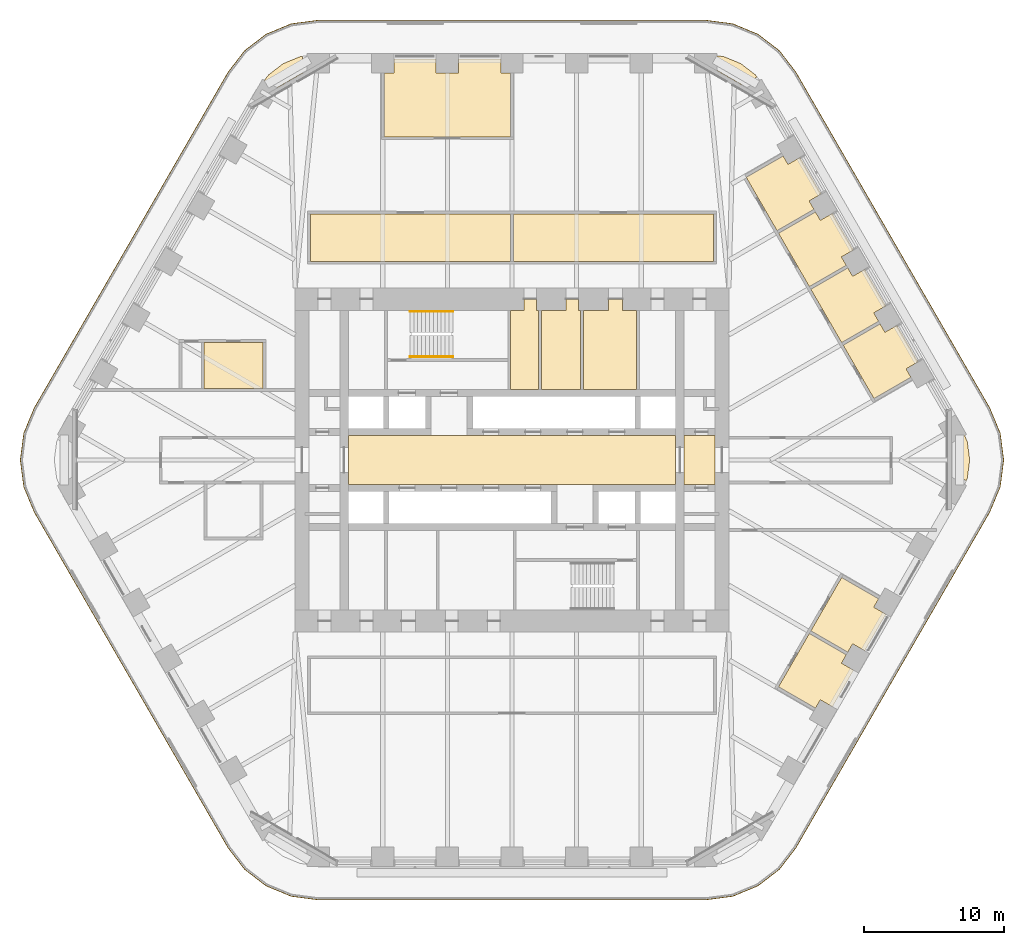
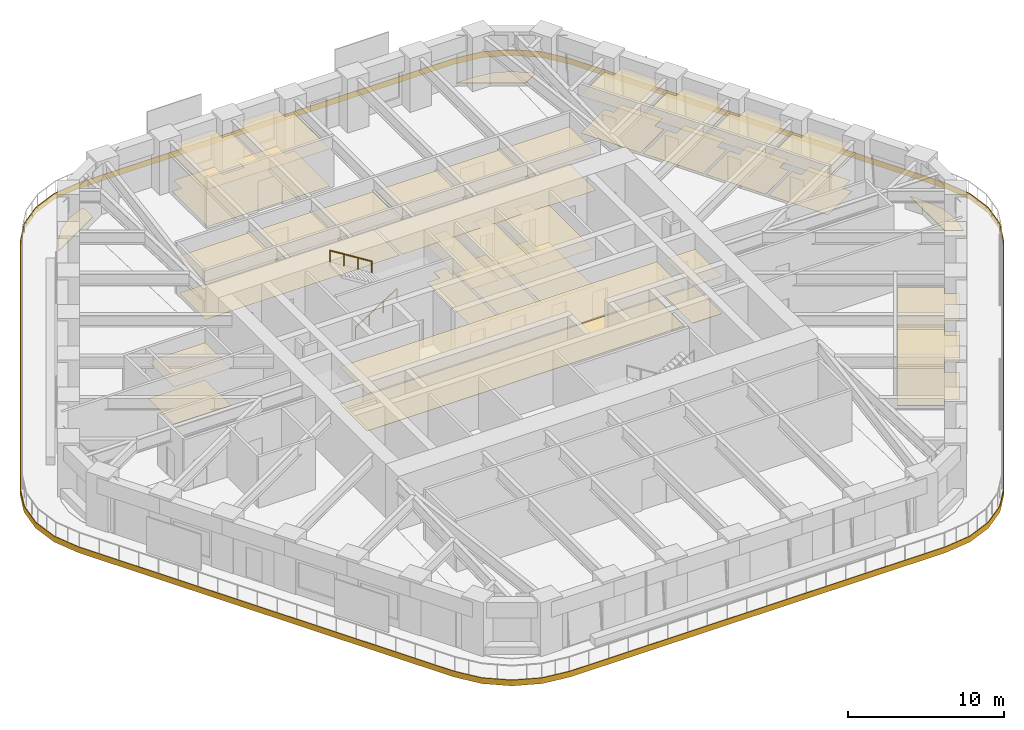
# One storey, part 19 of 20: 16 coverings, 2 railings.
"""IFC4 building model written with IfcOpenShell, lengths in metres."""

from ifc_helpers import new_model, si_unit, direction, frame, origin, origin_2d, place, context, subcontext, project, spatial, polyline, circle, outline, extrude, material, layer, layer_set, type_object, element, save


model = new_model("IFC4")

# Units and contexts
model_context = context("Model", 3, precision=1e-05, world=origin(), true_north=direction((0.0, 1.0)))
body_context = subcontext(model_context, "Body", "Model", "MODEL_VIEW")
ifc_project = project(units=[si_unit("LENGTHUNIT", "METRE"), si_unit("AREAUNIT", "SQUARE_METRE"), si_unit("VOLUMEUNIT", "CUBIC_METRE"), si_unit("PLANEANGLEUNIT", "RADIAN"), si_unit("MASSUNIT", "GRAM", prefix="KILO")], contexts=[model_context])

# Site, building, storey
site_placement = place(None, origin())
site = spatial("IfcSite", under=ifc_project, at=site_placement, CompositionType="ELEMENT")
building_placement = place(site_placement, origin())
building = spatial("IfcBuilding", under=site, at=building_placement, Name="Tarfa Lantern Tower", CompositionType="ELEMENT")
storey_placement = place(building_placement, frame((0.0, 0.0, 232.300048828125)))
storey = spatial("IfcBuildingStorey", under=building, at=storey_placement, Name="L52", CompositionType="ELEMENT", Elevation=232.300048828125)

# Coverings
ifc_material_1 = material(Name="Mineral fibre acoustic tile on suspension grid", Category="finish")
ifc_layer_1 = layer(ifc_material_1, 0.02001953125)
ifc_layer_set_1 = layer_set([ifc_layer_1], Name="CL1 ACOUSTIC TILE CEILING 20")
covering_type_1 = type_object("IfcCoveringType", Name="CL1 ACOUSTIC TILE CEILING 20", PredefinedType="CEILING", material=ifc_layer_set_1)
covering_1_placement = place(storey_placement, frame((0.0, 0.0, 2.89990234375)))
element("IfcCovering", 1, at=covering_1_placement, inside=storey, type_object=covering_type_1, Name="Ceiling L52 CL1", PredefinedType="CEILING", context=body_context, shape_type="SweptSolid", body=[
    extrude(outline(polyline([(-14.39990234375, 17.60009765625), (-0.10009765625, 17.60009765625), (-0.10009765625, 14.199951171875), (-14.39990234375, 14.199951171875), (-14.39990234375, 17.60009765625)])), origin(), (0.0, 0.0, 1.0), 0.02001953125),
    extrude(outline(polyline([(0.10009765625, 17.60009765625), (14.39990234375, 17.60009765625), (14.39990234375, 14.199951171875), (0.10009765625, 14.199951171875), (0.10009765625, 17.60009765625)])), origin(), (0.0, 0.0, 1.0), 0.02001953125),
    extrude(outline(polyline([(-0.10009765625, 23.10009765625), (-9.1376953125, 23.10009765625), (-9.1376953125, 27.64990234375), (-8.4375, 27.64990234375), (-8.4375, 28.64990234375), (-5.418701171875, 28.64990234375), (-5.418701171875, 27.64990234375), (-3.81884765625, 27.64990234375), (-3.81884765625, 28.64990234375), (-0.800048828125, 28.64990234375), (-0.800048828125, 27.64990234375), (-0.10009765625, 27.64990234375), (-0.10009765625, 23.10009765625)])), origin(), (0.0, 0.0, 1.0), 0.02001953125),
    extrude(outline(polyline([(23.66357421875, 8.21337890625), (26.304931640625, 9.73828125), (26.655029296875, 9.132080078125), (27.52099609375, 9.632080078125), (29.030517578125, 7.017822265625), (28.164306640625, 6.517822265625), (28.514404296875, 5.91162109375), (25.873046875, 4.38671875), (23.66357421875, 8.21337890625)])), origin(), (0.0, 0.0, 1.0), 0.02001953125),
    extrude(outline(polyline([(21.354248046875, 12.21337890625), (23.99560546875, 13.73828125), (24.345703125, 13.132080078125), (25.211669921875, 13.632080078125), (26.720947265625, 11.017822265625), (25.85498046875, 10.517822265625), (26.205078125, 9.91162109375), (23.563720703125, 8.38671875), (21.354248046875, 12.21337890625)])), origin(), (0.0, 0.0, 1.0), 0.02001953125),
    extrude(outline(polyline([(19.044921875, 16.21337890625), (21.686279296875, 17.73828125), (22.0361328125, 17.132080078125), (22.90234375, 17.632080078125), (24.41162109375, 15.017822265625), (23.545654296875, 14.517822265625), (23.8955078125, 13.91162109375), (21.254150390625, 12.38671875), (19.044921875, 16.21337890625)])), origin(), (0.0, 0.0, 1.0), 0.02001953125),
    extrude(outline(polyline([(16.7353515625, 20.21337890625), (19.376708984375, 21.73828125), (19.726806640625, 21.132080078125), (20.5927734375, 21.632080078125), (22.102294921875, 19.017822265625), (21.236083984375, 18.517822265625), (21.586181640625, 17.91162109375), (18.94482421875, 16.38671875), (16.7353515625, 20.21337890625)])), origin(), (0.0, 0.0, 1.0), 0.02001953125),
    extrude(outline(polyline([(21.254150390625, -12.38671875), (23.8955078125, -13.91162109375), (23.545654296875, -14.517822265625), (24.41162109375, -15.017822265625), (22.90234375, -17.632080078125), (22.0361328125, -17.132080078125), (21.686279296875, -17.73828125), (19.044921875, -16.21337890625), (21.254150390625, -12.38671875)])), origin(), (0.0, 0.0, 1.0), 0.02001953125),
    extrude(outline(polyline([(23.563720703125, -8.38671875), (26.205078125, -9.91162109375), (25.85498046875, -10.517822265625), (26.720947265625, -11.017822265625), (25.211669921875, -13.632080078125), (24.345703125, -13.132080078125), (23.99560546875, -13.73828125), (21.354248046875, -12.21337890625), (23.563720703125, -8.38671875)])), origin(), (0.0, 0.0, 1.0), 0.02001953125),
    extrude(outline(polyline([(-21.995849609375, 8.39990234375), (-17.7958984375, 8.39990234375), (-17.7958984375, 5.10009765625), (-21.995849609375, 5.10009765625), (-21.995849609375, 8.39990234375)])), origin(), (0.0, 0.0, 1.0), 0.02001953125),
])
ifc_material_2 = material(Name="Moisture-resistant plasterboard", Category="finish")
ifc_layer_2 = layer(ifc_material_2, 0.014892578125)
ifc_layer_set_2 = layer_set([ifc_layer_2], Name="CL2 MOISTURE-RESISTANT PLASTERBOARD CEILING 15")
covering_type_2 = type_object("IfcCoveringType", Name="CL2 MOISTURE-RESISTANT PLASTERBOARD CEILING 15", PredefinedType="CEILING", material=ifc_layer_set_2)
covering_2_placement = place(storey_placement, frame((0.0, 0.0, 2.89990234375)))
element("IfcCovering", 2, at=covering_2_placement, inside=storey, type_object=covering_type_2, Name="Ceiling L52-07", PredefinedType="CEILING", context=body_context, shape_type="SweptSolid", body=[
    extrude(outline(polyline([(0.85009765625, 10.699951171875), (-0.10009765625, 10.699951171875), (-0.10009765625, 5.050048828125), (1.89990234375, 5.050048828125), (1.89990234375, 10.699951171875), (1.75, 10.699951171875), (1.75, 11.5), (1.75, 11.5), (0.85009765625, 11.5), (0.85009765625, 10.699951171875)])), origin(), (0.0, 0.0, 1.0), 0.01513671875),
])
covering_3_placement = place(storey_placement, frame((0.0, 0.0, 2.89990234375)))
element("IfcCovering", 3, at=covering_3_placement, inside=storey, type_object=covering_type_2, Name="Ceiling L52-08", PredefinedType="CEILING", context=body_context, shape_type="SweptSolid", body=[
    extrude(outline(polyline([(2.10009765625, 5.050048828125), (4.89990234375, 5.050048828125), (4.89990234375, 10.699951171875), (4.75, 10.699951171875), (4.75, 11.5), (3.85009765625, 11.5), (3.85009765625, 10.699951171875), (2.10009765625, 10.699951171875), (2.10009765625, 5.050048828125)])), origin(), (0.0, 0.0, 1.0), 0.01513671875),
])
covering_4_placement = place(storey_placement, frame((0.0, 0.0, 2.89990234375)))
element("IfcCovering", 4, at=covering_4_placement, inside=storey, type_object=covering_type_2, Name="Ceiling L52-09", PredefinedType="CEILING", context=body_context, shape_type="SweptSolid", body=[
    extrude(outline(polyline([(5.10009765625, 5.050048828125), (8.89990234375, 5.050048828125), (8.89990234375, 10.699951171875), (7.89990234375, 10.699951171875), (7.89990234375, 11.5), (6.89990234375, 11.5), (6.89990234375, 10.699951171875), (5.10009765625, 10.699951171875), (5.10009765625, 5.050048828125)])), origin(), (0.0, 0.0, 1.0), 0.01513671875),
])
ifc_material_3 = material(Name="Powder-coated aluminium panel", Category="aluminium")
ifc_layer_3 = layer(ifc_material_3, 0.030029296875)
ifc_layer_set_3 = layer_set([ifc_layer_3], Name="CL3 METAL PANEL CEILING 30")
covering_type_3 = type_object("IfcCoveringType", Name="CL3 METAL PANEL CEILING 30", PredefinedType="CEILING", material=ifc_layer_set_3)
covering_5_placement = place(storey_placement, frame((0.0, 0.0, 2.89990234375)))
element("IfcCovering", 5, at=covering_5_placement, inside=storey, type_object=covering_type_3, Name="Ceiling L52-02", PredefinedType="CEILING", context=body_context, shape_type="SweptSolid", body=[
    extrude(outline(polyline([(-11.699951171875, -1.75), (11.699951171875, -1.75), (11.699951171875, 1.75), (-11.699951171875, 1.75), (-11.699951171875, -1.75)])), origin(), (0.0, 0.0, 1.0), 0.030029296875),
])
covering_6_placement = place(storey_placement, frame((0.0, 0.0, 2.89990234375)))
element("IfcCovering", 6, at=covering_6_placement, inside=storey, type_object=covering_type_3, Name="Ceiling L52-03", PredefinedType="CEILING", context=body_context, shape_type="SweptSolid", body=[
    extrude(outline(polyline([(12.300048828125, -1.75), (14.5, -1.75), (14.5, 1.75), (12.300048828125, 1.75), (12.300048828125, -1.75)])), origin(), (0.0, 0.0, 1.0), 0.030029296875),
])
ifc_material_4 = material(Name="Nylon carpet tile", Category="finish")
ifc_layer_4 = layer(ifc_material_4, 0.010009765625)
ifc_layer_set_4 = layer_set([ifc_layer_4], Name="FL1 CARPET TILE 10")
covering_type_4 = type_object("IfcCoveringType", Name="FL1 CARPET TILE 10", PredefinedType="FLOORING", material=ifc_layer_set_4)
covering_7_placement = place(storey_placement, origin())
element("IfcCovering", 7, at=covering_7_placement, inside=storey, type_object=covering_type_4, Name="Floor finish L52 FL1", PredefinedType="FLOORING", context=body_context, shape_type="SweptSolid", body=[
    extrude(outline(polyline([(-14.39990234375, 17.60009765625), (-0.10009765625, 17.60009765625), (-0.10009765625, 14.199951171875), (-14.39990234375, 14.199951171875), (-14.39990234375, 17.60009765625)])), origin(), (0.0, 0.0, 1.0), 0.010009765625),
    extrude(outline(polyline([(0.10009765625, 17.60009765625), (14.39990234375, 17.60009765625), (14.39990234375, 14.199951171875), (0.10009765625, 14.199951171875), (0.10009765625, 17.60009765625)])), origin(), (0.0, 0.0, 1.0), 0.010009765625),
    extrude(outline(polyline([(-0.10009765625, 23.10009765625), (-9.1376953125, 23.10009765625), (-9.1376953125, 27.64990234375), (-8.4375, 27.64990234375), (-8.4375, 28.64990234375), (-5.418701171875, 28.64990234375), (-5.418701171875, 27.64990234375), (-3.81884765625, 27.64990234375), (-3.81884765625, 28.64990234375), (-0.800048828125, 28.64990234375), (-0.800048828125, 27.64990234375), (-0.10009765625, 27.64990234375), (-0.10009765625, 23.10009765625)])), origin(), (0.0, 0.0, 1.0), 0.010009765625),
    extrude(outline(polyline([(23.66357421875, 8.21337890625), (26.304931640625, 9.73828125), (26.655029296875, 9.132080078125), (27.52099609375, 9.632080078125), (29.030517578125, 7.017822265625), (28.164306640625, 6.517822265625), (28.514404296875, 5.91162109375), (25.873046875, 4.38671875), (23.66357421875, 8.21337890625)])), origin(), (0.0, 0.0, 1.0), 0.010009765625),
    extrude(outline(polyline([(21.354248046875, 12.21337890625), (23.99560546875, 13.73828125), (24.345703125, 13.132080078125), (25.211669921875, 13.632080078125), (26.720947265625, 11.017822265625), (25.85498046875, 10.517822265625), (26.205078125, 9.91162109375), (23.563720703125, 8.38671875), (21.354248046875, 12.21337890625)])), origin(), (0.0, 0.0, 1.0), 0.010009765625),
    extrude(outline(polyline([(19.044921875, 16.21337890625), (21.686279296875, 17.73828125), (22.0361328125, 17.132080078125), (22.90234375, 17.632080078125), (24.41162109375, 15.017822265625), (23.545654296875, 14.517822265625), (23.8955078125, 13.91162109375), (21.254150390625, 12.38671875), (19.044921875, 16.21337890625)])), origin(), (0.0, 0.0, 1.0), 0.010009765625),
    extrude(outline(polyline([(16.7353515625, 20.21337890625), (19.376708984375, 21.73828125), (19.726806640625, 21.132080078125), (20.5927734375, 21.632080078125), (22.102294921875, 19.017822265625), (21.236083984375, 18.517822265625), (21.586181640625, 17.91162109375), (18.94482421875, 16.38671875), (16.7353515625, 20.21337890625)])), origin(), (0.0, 0.0, 1.0), 0.010009765625),
    extrude(outline(polyline([(21.254150390625, -12.38671875), (23.8955078125, -13.91162109375), (23.545654296875, -14.517822265625), (24.41162109375, -15.017822265625), (22.90234375, -17.632080078125), (22.0361328125, -17.132080078125), (21.686279296875, -17.73828125), (19.044921875, -16.21337890625), (21.254150390625, -12.38671875)])), origin(), (0.0, 0.0, 1.0), 0.010009765625),
    extrude(outline(polyline([(23.563720703125, -8.38671875), (26.205078125, -9.91162109375), (25.85498046875, -10.517822265625), (26.720947265625, -11.017822265625), (25.211669921875, -13.632080078125), (24.345703125, -13.132080078125), (23.99560546875, -13.73828125), (21.354248046875, -12.21337890625), (23.563720703125, -8.38671875)])), origin(), (0.0, 0.0, 1.0), 0.010009765625),
    extrude(outline(polyline([(-21.995849609375, 8.39990234375), (-17.7958984375, 8.39990234375), (-17.7958984375, 5.10009765625), (-21.995849609375, 5.10009765625), (-21.995849609375, 8.39990234375)])), origin(), (0.0, 0.0, 1.0), 0.010009765625),
])
ifc_material_5 = material(Name="Honed limestone flooring", Category="masonry")
ifc_layer_5 = layer(ifc_material_5, 0.030029296875)
ifc_layer_set_5 = layer_set([ifc_layer_5], Name="FL2 STONE FLOORING 30")
covering_type_5 = type_object("IfcCoveringType", Name="FL2 STONE FLOORING 30", PredefinedType="FLOORING", material=ifc_layer_set_5)
covering_8_placement = place(storey_placement, origin())
element("IfcCovering", 8, at=covering_8_placement, inside=storey, type_object=covering_type_5, Name="Floor finish L52-02", PredefinedType="FLOORING", context=body_context, shape_type="SweptSolid", body=[
    extrude(outline(polyline([(-11.699951171875, -1.75), (11.699951171875, -1.75), (11.699951171875, 1.75), (-11.699951171875, 1.75), (-11.699951171875, -1.75)])), origin(), (0.0, 0.0, 1.0), 0.030029296875),
])
covering_9_placement = place(storey_placement, origin())
element("IfcCovering", 9, at=covering_9_placement, inside=storey, type_object=covering_type_5, Name="Floor finish L52-03", PredefinedType="FLOORING", context=body_context, shape_type="SweptSolid", body=[
    extrude(outline(polyline([(12.300048828125, -1.75), (14.5, -1.75), (14.5, 1.75), (12.300048828125, 1.75), (12.300048828125, -1.75)])), origin(), (0.0, 0.0, 1.0), 0.030029296875),
])
ifc_material_6 = material(Name="Porcelain floor tile", Category="finish")
ifc_layer_6 = layer(ifc_material_6, 0.011962890625)
ifc_layer_set_6 = layer_set([ifc_layer_6], Name="FL3 CERAMIC TILE 12")
covering_type_6 = type_object("IfcCoveringType", Name="FL3 CERAMIC TILE 12", PredefinedType="FLOORING", material=ifc_layer_set_6)
covering_10_placement = place(storey_placement, origin())
element("IfcCovering", 10, at=covering_10_placement, inside=storey, type_object=covering_type_6, Name="Floor finish L52-07", PredefinedType="FLOORING", context=body_context, shape_type="SweptSolid", body=[
    extrude(outline(polyline([(0.85009765625, 10.699951171875), (-0.10009765625, 10.699951171875), (-0.10009765625, 5.050048828125), (1.89990234375, 5.050048828125), (1.89990234375, 10.699951171875), (1.75, 10.699951171875), (1.75, 11.5), (1.75, 11.5), (0.85009765625, 11.5), (0.85009765625, 10.699951171875)])), origin(), (0.0, 0.0, 1.0), 0.011962890625),
])
covering_11_placement = place(storey_placement, origin())
element("IfcCovering", 11, at=covering_11_placement, inside=storey, type_object=covering_type_6, Name="Floor finish L52-08", PredefinedType="FLOORING", context=body_context, shape_type="SweptSolid", body=[
    extrude(outline(polyline([(2.10009765625, 5.050048828125), (4.89990234375, 5.050048828125), (4.89990234375, 10.699951171875), (4.75, 10.699951171875), (4.75, 11.5), (3.85009765625, 11.5), (3.85009765625, 10.699951171875), (2.10009765625, 10.699951171875), (2.10009765625, 5.050048828125)])), origin(), (0.0, 0.0, 1.0), 0.011962890625),
])
covering_12_placement = place(storey_placement, origin())
element("IfcCovering", 12, at=covering_12_placement, inside=storey, type_object=covering_type_6, Name="Floor finish L52-09", PredefinedType="FLOORING", context=body_context, shape_type="SweptSolid", body=[
    extrude(outline(polyline([(5.10009765625, 5.050048828125), (8.89990234375, 5.050048828125), (8.89990234375, 10.699951171875), (7.89990234375, 10.699951171875), (7.89990234375, 11.5), (6.89990234375, 11.5), (6.89990234375, 10.699951171875), (5.10009765625, 10.699951171875), (5.10009765625, 5.050048828125)])), origin(), (0.0, 0.0, 1.0), 0.011962890625),
])

# Railings
ifc_material_7 = material(Name="Stainless steel", Category="steel")
railing_type = type_object("IfcRailingType", Name="HR1 HANDRAIL 900", PredefinedType="HANDRAIL", material=ifc_material_7)
railing_1_placement = place(storey_placement, frame((-7.300048828125, 7.3798828125, 0.175048828125)))
element("IfcRailing", 13, at=railing_1_placement, inside=storey, type_object=railing_type, Name="Handrail 1", PredefinedType="HANDRAIL", context=body_context, shape_type="SweptSolid", body=[
    extrude(circle(Radius=0.02392578125, at=origin_2d()), frame((0.0, 0.0, 0.8759765625), z_axis=(0.848028513186, 0.0, 0.529950602248), x_axis=(0.0, 1.0, 0.0)), (0.0, 0.0, 1.0), 3.632080078125),
    extrude(circle(Radius=0.02099609375, at=origin_2d()), frame((0.0, 0.0, 0.0), z_axis=(0.0, 0.0, 1.0), x_axis=(0.0, 1.0, 0.0)), (0.0, 0.0, 1.0), 0.851806640625),
    extrude(circle(Radius=0.02099609375, at=origin_2d()), frame((1.026611328125, 0.0, 0.6416015625), z_axis=(0.0, 0.0, 1.0), x_axis=(0.0, 1.0, 0.0)), (0.0, 0.0, 1.0), 0.851806640625),
    extrude(circle(Radius=0.02099609375, at=origin_2d()), frame((2.053466796875, 0.0, 1.283203125), z_axis=(0.0, 0.0, 1.0), x_axis=(0.0, 1.0, 0.0)), (0.0, 0.0, 1.0), 0.851806640625),
    extrude(circle(Radius=0.02099609375, at=origin_2d()), frame((3.080078125, 0.0, 1.9248046875), z_axis=(0.0, 0.0, 1.0), x_axis=(0.0, 1.0, 0.0)), (0.0, 0.0, 1.0), 0.851806640625),
])
railing_2_placement = place(storey_placement, frame((-4.219970703125, 10.6201171875, 2.27490234375)))
element("IfcRailing", 14, at=railing_2_placement, inside=storey, type_object=railing_type, Name="Handrail 2", PredefinedType="HANDRAIL", context=body_context, shape_type="SweptSolid", body=[
    extrude(circle(Radius=0.02392578125, at=origin_2d()), frame((0.0, 0.0, 0.8759765625), z_axis=(-0.847998304005, 0.0, 0.529998940003), x_axis=(0.0, -1.0, 0.0)), (0.0, 0.0, 1.0), 3.632080078125),
    extrude(circle(Radius=0.02099609375, at=origin_2d()), frame((0.0, 0.0, 0.0), z_axis=(0.0, 0.0, 1.0), x_axis=(0.0, -1.0, 0.0)), (0.0, 0.0, 1.0), 0.851806640625),
    extrude(circle(Radius=0.02099609375, at=origin_2d()), frame((-1.026611328125, 0.0, 0.6416015625), z_axis=(0.0, 0.0, 1.0), x_axis=(0.0, -1.0, 0.0)), (0.0, 0.0, 1.0), 0.851806640625),
    extrude(circle(Radius=0.02099609375, at=origin_2d()), frame((-2.053466796875, 0.0, 1.283447265625), z_axis=(0.0, 0.0, 1.0), x_axis=(0.0, -1.0, 0.0)), (0.0, 0.0, 1.0), 0.851806640625),
    extrude(circle(Radius=0.02099609375, at=origin_2d()), frame((-3.080078125, 0.0, 1.925048828125), z_axis=(0.0, 0.0, 1.0), x_axis=(0.0, -1.0, 0.0)), (0.0, 0.0, 1.0), 0.851806640625),
])

# Coverings
ifc_material_8 = material(Name="Porcelain pavers on pedestals", Category="ceramic")
ifc_layer_7 = layer(ifc_material_8, 0.0400390625)
ifc_layer_set_7 = layer_set([ifc_layer_7], Name="LP1 LOGGIA PAVING 40")
covering_type_7 = type_object("IfcCoveringType", Name="LP1 LOGGIA PAVING 40", PredefinedType="FLOORING", material=ifc_layer_set_7)
covering_13_placement = place(storey_placement, origin())
element("IfcCovering", 15, at=covering_13_placement, inside=storey, type_object=covering_type_7, Name="Sky garden paving NE-N", PredefinedType="FLOORING", context=body_context, shape_type="SweptSolid", body=[
    extrude(outline(polyline([(15.150390625, 28.82958984375), (16.3564453125, 28.330078125), (17.391845703125, 27.53564453125), (17.51123046875, 27.380126953125), (16.4765625, 26.782958984375), (12.641357421875, 28.997314453125), (12.64306640625, 29.0), (13.8564453125, 29.0), (15.150390625, 28.82958984375)])), origin(), (0.0, 0.0, 1.0), 0.0400390625),
])
covering_14_placement = place(storey_placement, origin())
element("IfcCovering", 16, at=covering_14_placement, inside=storey, type_object=covering_type_7, Name="Sky garden paving N-NW", PredefinedType="FLOORING", context=body_context, shape_type="SweptSolid", body=[
    extrude(outline(polyline([(-17.391845703125, 27.53564453125), (-16.3564453125, 28.330078125), (-15.150390625, 28.82958984375), (-14.956298828125, 28.855224609375), (-14.956298828125, 27.66064453125), (-18.791748046875, 25.4462890625), (-18.793212890625, 25.44921875), (-18.1865234375, 26.5), (-17.391845703125, 27.53564453125)])), origin(), (0.0, 0.0, 1.0), 0.0400390625),
])
covering_15_placement = place(storey_placement, origin())
element("IfcCovering", 17, at=covering_15_placement, inside=storey, type_object=covering_type_7, Name="Sky garden paving SE-NE", PredefinedType="FLOORING", context=body_context, shape_type="SweptSolid", body=[
    extrude(outline(polyline([(32.54248046875, 1.294189453125), (32.712890625, 0.0), (32.54248046875, -1.294189453125), (32.467529296875, -1.474853515625), (31.43310546875, -0.877685546875), (31.43310546875, 3.55078125), (31.436279296875, 3.55078125), (32.04296875, 2.5), (32.54248046875, 1.294189453125)])), origin(), (0.0, 0.0, 1.0), 0.0400390625),
])
ifc_material_9 = material(Name="Limestone cladding on brackets", Category="masonry")
ifc_layer_8 = layer(ifc_material_9, 0.050048828125)
ifc_layer_set_8 = layer_set([ifc_layer_8], Name="SB1 STONE BAND CLADDING 50")
covering_type_8 = type_object("IfcCoveringType", Name="SB1 STONE BAND CLADDING 50", PredefinedType="CLADDING", material=ifc_layer_set_8)
covering_16_placement = place(storey_placement, frame((0.0, 0.0, -0.400146484375)))
element("IfcCovering", 18, at=covering_16_placement, inside=storey, type_object=covering_type_8, Name="Stone band", PredefinedType="CLADDING", context=body_context, shape_type="SweptSolid", body=[
    extrude(outline(polyline([(34.164794921875, 3.72509765625), (20.308349609375, 27.72509765625), (19.124267578125, 29.26806640625), (17.581298828125, 30.451904296875), (15.78466796875, 31.196044921875), (13.8564453125, 31.449951171875), (-13.8564453125, 31.449951171875), (-15.78466796875, 31.196044921875), (-17.581298828125, 30.451904296875), (-19.124267578125, 29.26806640625), (-20.308349609375, 27.72509765625), (-34.164794921875, 3.72509765625), (-34.908935546875, 1.92822265625), (-35.162841796875, 0.0), (-34.908935546875, -1.92822265625), (-34.164794921875, -3.72509765625), (-20.308349609375, -27.72509765625), (-19.124267578125, -29.26806640625), (-17.581298828125, -30.451904296875), (-15.78466796875, -31.196044921875), (-13.8564453125, -31.449951171875), (13.8564453125, -31.449951171875), (15.78466796875, -31.196044921875), (17.581298828125, -30.451904296875), (19.124267578125, -29.26806640625), (20.308349609375, -27.72509765625), (34.164794921875, -3.72509765625), (34.908935546875, -1.92822265625), (35.162841796875, 0.0), (34.908935546875, 1.92822265625), (34.164794921875, 3.72509765625)]), holes=[polyline([(34.121337890625, 3.699951171875), (20.264892578125, 27.699951171875), (19.089111328125, 29.232666015625), (17.556396484375, 30.40869140625), (15.771728515625, 31.14794921875), (13.8564453125, 31.39990234375), (-13.8564453125, 31.39990234375), (-15.771728515625, 31.14794921875), (-17.556396484375, 30.40869140625), (-19.089111328125, 29.232666015625), (-20.264892578125, 27.699951171875), (-34.121337890625, 3.699951171875), (-34.860595703125, 1.915283203125), (-35.11279296875, 0.0), (-34.860595703125, -1.915283203125), (-34.121337890625, -3.699951171875), (-20.264892578125, -27.699951171875), (-19.089111328125, -29.232666015625), (-17.556396484375, -30.40869140625), (-15.771728515625, -31.14794921875), (-13.8564453125, -31.39990234375), (13.8564453125, -31.39990234375), (15.771728515625, -31.14794921875), (17.556396484375, -30.40869140625), (19.089111328125, -29.232666015625), (20.264892578125, -27.699951171875), (34.121337890625, -3.699951171875), (34.860595703125, -1.915283203125), (35.11279296875, 0.0), (34.860595703125, 1.915283203125), (34.121337890625, 3.699951171875)])]), origin(), (0.0, 0.0, 1.0), 0.4501953125),
])

save(model, "model.ifc")
